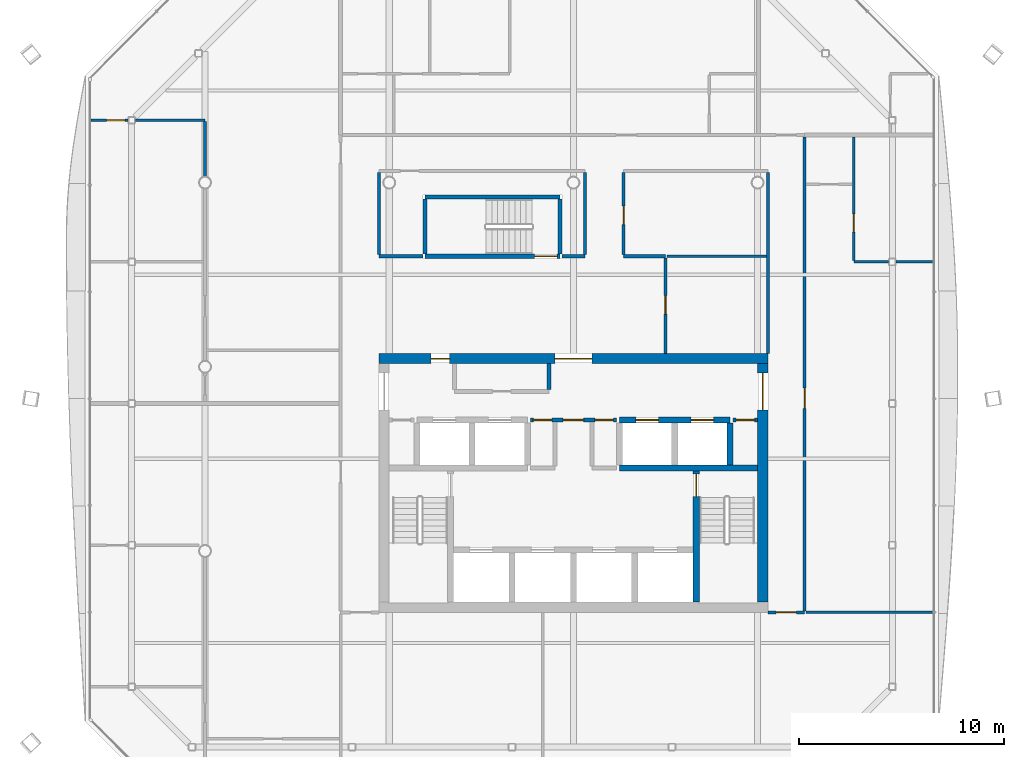
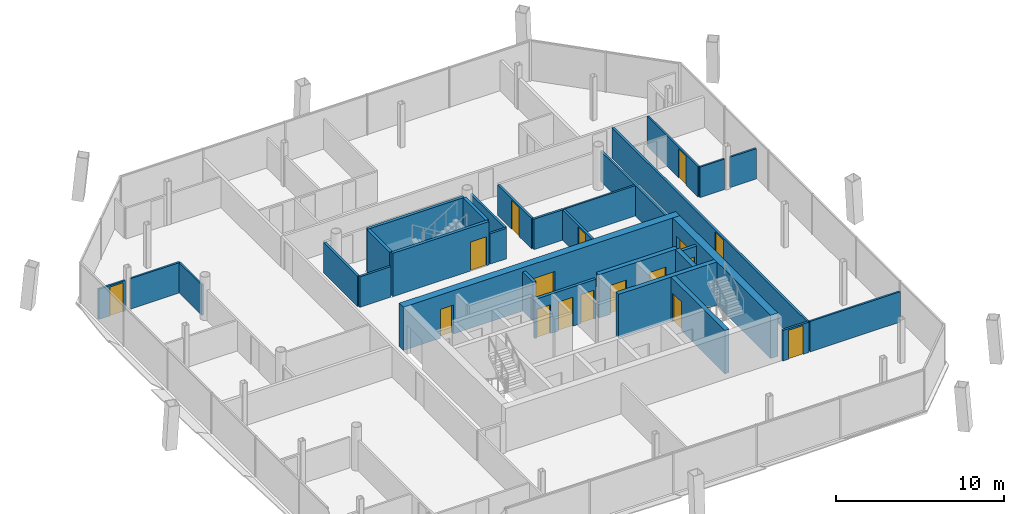
# One storey, part 15 of 20: 31 walls, 17 doors, 17 openings.
"""IFC4 building model written with IfcOpenShell, lengths in metres."""

from ifc_helpers import new_model, si_unit, direction, frame, frame_2d, origin, place, context, subcontext, project, spatial, rectangle, extrude, material, layer, layer_set, type_object, element, fill, save


model = new_model("IFC4")

# Units and contexts
model_context = context("Model", 3, precision=1e-05, world=origin(), true_north=direction((0.0, 1.0)))
body_context = subcontext(model_context, "Body", "Model", "MODEL_VIEW")
ifc_project = project(units=[si_unit("LENGTHUNIT", "METRE"), si_unit("AREAUNIT", "SQUARE_METRE"), si_unit("VOLUMEUNIT", "CUBIC_METRE"), si_unit("PLANEANGLEUNIT", "RADIAN"), si_unit("MASSUNIT", "GRAM", prefix="KILO")], contexts=[model_context])

# Site, building, storey
site_placement = place(None, origin())
site = spatial("IfcSite", under=ifc_project, at=site_placement, CompositionType="ELEMENT")
building_placement = place(site_placement, origin())
building = spatial("IfcBuilding", under=site, at=building_placement, Name="Tskaro Facet Tower", CompositionType="ELEMENT")
storey_placement = place(building_placement, frame((0.0, 0.0, 184.800048828125)))
storey = spatial("IfcBuildingStorey", under=building, at=storey_placement, Name="L46", CompositionType="ELEMENT", Elevation=184.800048828125)

# Wall
ifc_material_1 = material(Name="Concrete C60/75", Category="concrete")
ifc_layer_1 = layer(ifc_material_1, 0.300048828125, Name="Concrete C60/75")
ifc_layer_set_1 = layer_set([ifc_layer_1], Name="Concrete C60/75")
wall_type_1 = type_object("IfcWallType", Name="CORE-SHAFT", PredefinedType="SHEAR", material=ifc_layer_set_1)
wall_1_placement = place(storey_placement, frame((2.25, -4.949951171875, 0.0), z_axis=(0.0, 0.0, 1.0), x_axis=(1.0, 0.0, 0.0)))
element("IfcWall", 1, at=wall_1_placement, inside=storey, type_object=wall_type_1, Name="Shaft wall W013", PredefinedType="SHEAR", context=body_context, shape_type="SweptSolid", body=[
    extrude(rectangle(XDim=6.75, YDim=0.300048828125, at=frame_2d((3.375, 0.0))), origin(), (0.0, 0.0, 1.0), 3.14990234375),
])

# Wall, openings, doors
wall_2_placement = place(storey_placement, frame((2.25, -2.60009765625, 0.0), z_axis=(0.0, 0.0, 1.0), x_axis=(1.0, 0.0, 0.0)))
wall_2 = element("IfcWall", 2, at=wall_2_placement, inside=storey, type_object=wall_type_1, Name="Shaft wall W017", PredefinedType="SHEAR", context=body_context, shape_type="SweptSolid", body=[
    extrude(rectangle(XDim=5.39990234375, YDim=0.300048828125, at=frame_2d((2.699951171875, 0.0))), origin(), (0.0, 0.0, 1.0), 3.14990234375),
])
opening_1_placement = place(wall_2_placement, frame((0.800048828125, 0.0, 0.0)))
opening_1 = element("IfcOpeningElement", 3, at=opening_1_placement, cuts=wall_2, Name="Opening LD-HB3", PredefinedType="OPENING", context=body_context, shape_type="SweptSolid", body=[
    extrude(rectangle(XDim=1.10009765625, YDim=2.10009765625, at=frame_2d((0.550048828125, 1.050048828125))), frame((0.0, 0.159912109375, 0.0), z_axis=(0.0, -1.0, 0.0), x_axis=(1.0, 0.0, 0.0)), (0.0, 0.0, 1.0), 0.320068359375),
])
opening_2_placement = place(wall_2_placement, frame((3.5, 0.0, 0.0)))
opening_2 = element("IfcOpeningElement", 4, at=opening_2_placement, cuts=wall_2, Name="Opening LD-HB4", PredefinedType="OPENING", context=body_context, shape_type="SweptSolid", body=[
    extrude(rectangle(XDim=1.10009765625, YDim=2.10009765625, at=frame_2d((0.550048828125, 1.050048828125))), frame((0.0, 0.159912109375, 0.0), z_axis=(0.0, -1.0, 0.0), x_axis=(1.0, 0.0, 0.0)), (0.0, 0.0, 1.0), 0.320068359375),
])
ifc_material_2 = material(Name="Stainless steel", Category="steel")
door_type_1 = type_object("IfcDoorType", Name="D-LANDING", OperationType="NOTDEFINED", PredefinedType="DOOR", material=ifc_material_2)
door_1_placement = place(opening_1_placement, origin())
door_1 = element("IfcDoor", 5, at=door_1_placement, inside=storey, type_object=door_type_1, Name="Landing door HB3", OperationType="DOUBLE_DOOR_SLIDING", OverallHeight=2.10009765625, OverallWidth=1.10009765625, PredefinedType="DOOR", context=body_context, shape_type="SweptSolid", body=[
    extrude(rectangle(XDim=1.10009765625, YDim=2.10009765625, at=frame_2d((0.550048828125, 1.050048828125))), frame((0.0, 0.02490234375, 0.0), z_axis=(0.0, -1.0, 0.0), x_axis=(1.0, 0.0, 0.0)), (0.0, 0.0, 1.0), 0.050048828125),
])
fill(opening_1, door_1)
door_2_placement = place(opening_2_placement, origin())
door_2 = element("IfcDoor", 6, at=door_2_placement, inside=storey, type_object=door_type_1, Name="Landing door HB4", OperationType="DOUBLE_DOOR_SLIDING", OverallHeight=2.10009765625, OverallWidth=1.10009765625, PredefinedType="DOOR", context=body_context, shape_type="SweptSolid", body=[
    extrude(rectangle(XDim=1.10009765625, YDim=2.10009765625, at=frame_2d((0.550048828125, 1.050048828125))), frame((0.0, 0.02490234375, 0.0), z_axis=(0.0, -1.0, 0.0), x_axis=(1.0, 0.0, 0.0)), (0.0, 0.0, 1.0), 0.050048828125),
])
fill(opening_2, door_2)

# Wall, opening, door
wall_3_placement = place(storey_placement, frame((6.0, -5.10009765625, 0.0), z_axis=(0.0, 0.0, 1.0), x_axis=(0.0, -1.0, 0.0)))
wall_3 = element("IfcWall", 7, at=wall_3_placement, inside=storey, type_object=wall_type_1, Name="Shaft wall W077", PredefinedType="SHEAR", context=body_context, shape_type="SweptSolid", body=[
    extrude(rectangle(XDim=6.39990234375, YDim=0.300048828125, at=frame_2d((3.199951171875, 0.0))), origin(), (0.0, 0.0, 1.0), 3.14990234375),
])
opening_3_placement = place(wall_3_placement, frame((0.14990234375, 0.0, 0.0)))
opening_3 = element("IfcOpeningElement", 8, at=opening_3_placement, cuts=wall_3, Name="Opening ST-2-D1", PredefinedType="OPENING", context=body_context, shape_type="SweptSolid", body=[
    extrude(rectangle(XDim=1.10009765625, YDim=2.10009765625, at=frame_2d((0.550048828125, 1.050048828125))), frame((0.0, 0.159912109375, 0.0), z_axis=(0.0, -1.0, 0.0), x_axis=(1.0, 0.0, 0.0)), (0.0, 0.0, 1.0), 0.320068359375),
])
ifc_material_3 = material(Name="Steel", Category="steel")
door_type_2 = type_object("IfcDoorType", Name="D-STAIR", OperationType="NOTDEFINED", PredefinedType="DOOR", material=ifc_material_3)
door_3_placement = place(opening_3_placement, origin())
door_3 = element("IfcDoor", 9, at=door_3_placement, inside=storey, type_object=door_type_2, Name="Stair door 2", OperationType="SINGLE_SWING_RIGHT", OverallHeight=2.10009765625, OverallWidth=1.10009765625, PredefinedType="DOOR", context=body_context, shape_type="SweptSolid", body=[
    extrude(rectangle(XDim=1.10009765625, YDim=2.10009765625, at=frame_2d((0.550048828125, 1.050048828125))), frame((0.0, 0.02490234375, 0.0), z_axis=(0.0, -1.0, 0.0), x_axis=(1.0, 0.0, 0.0)), (0.0, 0.0, 1.0), 0.050048828125),
])
fill(opening_3, door_3)

# Wall
wall_4_placement = place(storey_placement, frame((7.64990234375, -4.800048828125, 0.0), z_axis=(0.0, 0.0, 1.0), x_axis=(0.0, 1.0, 0.0)))
element("IfcWall", 10, at=wall_4_placement, inside=storey, type_object=wall_type_1, Name="Shaft wall W079", PredefinedType="SHEAR", context=body_context, shape_type="SweptSolid", body=[
    extrude(rectangle(XDim=2.050048828125, YDim=0.300048828125, at=frame_2d((1.02490234375, 0.0))), origin(), (0.0, 0.0, 1.0), 3.14990234375),
])

# Wall, openings, doors
ifc_material_4 = material(Name="Concrete C20/25", Category="concrete")
ifc_layer_2 = layer(ifc_material_4, 0.199951171875, Name="Concrete C20/25")
ifc_layer_set_2 = layer_set([ifc_layer_2], Name="Concrete C20/25")
wall_type_2 = type_object("IfcWallType", Name="CORE-WALL", PredefinedType="SOLIDWALL", material=ifc_layer_set_2)
wall_5_placement = place(storey_placement, frame((2.10009765625, -2.60009765625, 0.0), z_axis=(0.0, 0.0, 1.0), x_axis=(-1.0, 0.0, 0.0)))
wall_5 = element("IfcWall", 11, at=wall_5_placement, inside=storey, type_object=wall_type_2, Name="Core room wall W016", PredefinedType="SOLIDWALL", context=body_context, shape_type="SweptSolid", body=[
    extrude(rectangle(XDim=4.2001953125, YDim=0.199951171875, at=frame_2d((2.10009765625, 0.0))), origin(), (0.0, 0.0, 1.0), 2.849853515625),
])
opening_4_placement = place(wall_5_placement, frame((1.60009765625, 0.0, 0.0)))
opening_4 = element("IfcOpeningElement", 12, at=opening_4_placement, cuts=wall_5, Name="Opening FL-D1", PredefinedType="OPENING", context=body_context, shape_type="SweptSolid", body=[
    extrude(rectangle(XDim=1.0, YDim=2.10009765625, at=frame_2d((0.5, 1.050048828125))), frame((0.0, 0.10986328125, 0.0), z_axis=(0.0, -1.0, 0.0), x_axis=(1.0, 0.0, 0.0)), (0.0, 0.0, 1.0), 0.219970703125),
])
opening_5_placement = place(wall_5_placement, frame((3.14990234375, 0.0, 0.0)))
opening_5 = element("IfcOpeningElement", 13, at=opening_5_placement, cuts=wall_5, Name="Opening T13-D08", PredefinedType="OPENING", context=body_context, shape_type="SweptSolid", body=[
    extrude(rectangle(XDim=0.89990234375, YDim=2.10009765625, at=frame_2d((0.449951171875, 1.050048828125))), frame((0.0, 0.10986328125, 0.0), z_axis=(0.0, -1.0, 0.0), x_axis=(1.0, 0.0, 0.0)), (0.0, 0.0, 1.0), 0.219970703125),
])
opening_6_placement = place(wall_5_placement, frame((0.14990234375, 0.0, 0.0)))
opening_6 = element("IfcOpeningElement", 14, at=opening_6_placement, cuts=wall_5, Name="Opening T13-D09", PredefinedType="OPENING", context=body_context, shape_type="SweptSolid", body=[
    extrude(rectangle(XDim=0.89990234375, YDim=2.10009765625, at=frame_2d((0.449951171875, 1.050048828125))), frame((0.0, 0.10986328125, 0.0), z_axis=(0.0, -1.0, 0.0), x_axis=(1.0, 0.0, 0.0)), (0.0, 0.0, 1.0), 0.219970703125),
])
door_type_3 = type_object("IfcDoorType", Name="D-LOBBY", OperationType="NOTDEFINED", PredefinedType="DOOR", material=ifc_material_3)
door_4_placement = place(opening_4_placement, origin())
door_4 = element("IfcDoor", 15, at=door_4_placement, inside=storey, type_object=door_type_3, Name="Lobby door FL", OperationType="SINGLE_SWING_RIGHT", OverallHeight=2.10009765625, OverallWidth=1.0, PredefinedType="DOOR", context=body_context, shape_type="SweptSolid", body=[
    extrude(rectangle(XDim=1.0, YDim=2.10009765625, at=frame_2d((0.5, 1.050048828125))), frame((0.0, 0.02490234375, 0.0), z_axis=(0.0, -1.0, 0.0), x_axis=(1.0, 0.0, 0.0)), (0.0, 0.0, 1.0), 0.050048828125),
])
fill(opening_4, door_4)
ifc_material_5 = material(Name="Timber", Category="wood")
door_type_4 = type_object("IfcDoorType", Name="D-ROOM", OperationType="NOTDEFINED", PredefinedType="DOOR", material=ifc_material_5)
door_5_placement = place(opening_5_placement, origin())
door_5 = element("IfcDoor", 16, at=door_5_placement, inside=storey, type_object=door_type_4, Name="Door T13-D08", OperationType="SINGLE_SWING_RIGHT", OverallHeight=2.10009765625, OverallWidth=0.89990234375, PredefinedType="DOOR", context=body_context, shape_type="SweptSolid", body=[
    extrude(rectangle(XDim=0.89990234375, YDim=2.10009765625, at=frame_2d((0.449951171875, 1.050048828125))), frame((0.0, 0.02490234375, 0.0), z_axis=(0.0, -1.0, 0.0), x_axis=(1.0, 0.0, 0.0)), (0.0, 0.0, 1.0), 0.050048828125),
])
fill(opening_5, door_5)
door_6_placement = place(opening_6_placement, origin())
door_6 = element("IfcDoor", 17, at=door_6_placement, inside=storey, type_object=door_type_4, Name="Door T13-D09", OperationType="SINGLE_SWING_RIGHT", OverallHeight=2.10009765625, OverallWidth=0.89990234375, PredefinedType="DOOR", context=body_context, shape_type="SweptSolid", body=[
    extrude(rectangle(XDim=0.89990234375, YDim=2.10009765625, at=frame_2d((0.449951171875, 1.050048828125))), frame((0.0, 0.02490234375, 0.0), z_axis=(0.0, -1.0, 0.0), x_axis=(1.0, 0.0, 0.0)), (0.0, 0.0, 1.0), 0.050048828125),
])
fill(opening_6, door_6)

# Wall, opening, door
wall_6_placement = place(storey_placement, frame((9.0, -2.60009765625, 0.0), z_axis=(0.0, 0.0, 1.0), x_axis=(-1.0, 0.0, 0.0)))
wall_6 = element("IfcWall", 18, at=wall_6_placement, inside=storey, type_object=wall_type_2, Name="Core room wall W018", PredefinedType="SOLIDWALL", context=body_context, shape_type="SweptSolid", body=[
    extrude(rectangle(XDim=1.199951171875, YDim=0.199951171875, at=frame_2d((0.60009765625, 0.0))), origin(), (0.0, 0.0, 1.0), 2.849853515625),
])
opening_7_placement = place(wall_6_placement, frame((0.14990234375, 0.0, 0.0)))
opening_7 = element("IfcOpeningElement", 19, at=opening_7_placement, cuts=wall_6, Name="Opening T13-D10", PredefinedType="OPENING", context=body_context, shape_type="SweptSolid", body=[
    extrude(rectangle(XDim=0.89990234375, YDim=2.10009765625, at=frame_2d((0.449951171875, 1.050048828125))), frame((0.0, 0.10986328125, 0.0), z_axis=(0.0, -1.0, 0.0), x_axis=(1.0, 0.0, 0.0)), (0.0, 0.0, 1.0), 0.219970703125),
])
door_7_placement = place(opening_7_placement, origin())
door_7 = element("IfcDoor", 20, at=door_7_placement, inside=storey, type_object=door_type_4, Name="Door T13-D10", OperationType="SINGLE_SWING_RIGHT", OverallHeight=2.10009765625, OverallWidth=0.89990234375, PredefinedType="DOOR", context=body_context, shape_type="SweptSolid", body=[
    extrude(rectangle(XDim=0.89990234375, YDim=2.10009765625, at=frame_2d((0.449951171875, 1.050048828125))), frame((0.0, 0.02490234375, 0.0), z_axis=(0.0, -1.0, 0.0), x_axis=(1.0, 0.0, 0.0)), (0.0, 0.0, 1.0), 0.050048828125),
])
fill(opening_7, door_7)

# Wall
wall_7_placement = place(storey_placement, frame((-1.199951171875, -1.10009765625, 0.0), z_axis=(0.0, 0.0, 1.0), x_axis=(0.0, 1.0, 0.0)))
element("IfcWall", 21, at=wall_7_placement, inside=storey, type_object=wall_type_2, Name="Core room wall W066", PredefinedType="SOLIDWALL", context=body_context, shape_type="SweptSolid", body=[
    extrude(rectangle(XDim=1.25, YDim=0.199951171875, at=frame_2d((0.625, 0.0))), origin(), (0.0, 0.0, 1.0), 2.849853515625),
])

# Wall, openings, doors
ifc_material_6 = material(Name="Concrete C40/50", Category="concrete")
ifc_layer_3 = layer(ifc_material_6, 0.5, Name="Concrete C40/50")
ifc_layer_set_3 = layer_set([ifc_layer_3], Name="Concrete C40/50")
wall_type_3 = type_object("IfcWallType", Name="Core wall 500", PredefinedType="SHEAR", material=ifc_layer_set_3)
wall_8_placement = place(storey_placement, frame((-9.5, 0.39990234375, 0.0), z_axis=(0.0, 0.0, 1.0), x_axis=(1.0, 0.0, 0.0)))
wall_8 = element("IfcWall", 22, at=wall_8_placement, inside=storey, type_object=wall_type_3, Name="Core wall CW-Z3N", PredefinedType="SHEAR", context=body_context, shape_type="SweptSolid", body=[
    extrude(rectangle(XDim=19.0, YDim=0.5, at=frame_2d((9.5, 0.0))), origin(), (0.0, 0.0, 1.0), 3.14990234375),
])
opening_8_placement = place(wall_8_placement, frame((8.60009765625, 0.0, 0.0)))
opening_8 = element("IfcOpeningElement", 23, at=opening_8_placement, cuts=wall_8, Name="Opening T13-D17", PredefinedType="OPENING", context=body_context, shape_type="SweptSolid", body=[
    extrude(rectangle(XDim=1.800048828125, YDim=2.10009765625, at=frame_2d((0.89990234375, 1.050048828125))), frame((0.0, 0.260009765625, 0.0), z_axis=(0.0, -1.0, 0.0), x_axis=(1.0, 0.0, 0.0)), (0.0, 0.0, 1.0), 0.52001953125),
])
opening_9_placement = place(wall_8_placement, frame((2.550048828125, 0.0, 0.0)))
opening_9 = element("IfcOpeningElement", 24, at=opening_9_placement, cuts=wall_8, Name="Opening T13-D16", PredefinedType="OPENING", context=body_context, shape_type="SweptSolid", body=[
    extrude(rectangle(XDim=0.89990234375, YDim=2.10009765625, at=frame_2d((0.449951171875, 1.050048828125))), frame((0.0, 0.260009765625, 0.0), z_axis=(0.0, -1.0, 0.0), x_axis=(1.0, 0.0, 0.0)), (0.0, 0.0, 1.0), 0.52001953125),
])
door_type_5 = type_object("IfcDoorType", Name="D-CORE-PAIR", OperationType="NOTDEFINED", PredefinedType="DOOR", material=ifc_material_3)
door_8_placement = place(opening_8_placement, origin())
door_8 = element("IfcDoor", 25, at=door_8_placement, inside=storey, type_object=door_type_5, Name="Door T13-D17", OperationType="DOUBLE_DOOR_SINGLE_SWING", OverallHeight=2.10009765625, OverallWidth=1.800048828125, PredefinedType="DOOR", context=body_context, shape_type="SweptSolid", body=[
    extrude(rectangle(XDim=1.800048828125, YDim=2.10009765625, at=frame_2d((0.89990234375, 1.050048828125))), frame((0.0, 0.02490234375, 0.0), z_axis=(0.0, -1.0, 0.0), x_axis=(1.0, 0.0, 0.0)), (0.0, 0.0, 1.0), 0.050048828125),
])
fill(opening_8, door_8)
door_9_placement = place(opening_9_placement, origin())
door_9 = element("IfcDoor", 26, at=door_9_placement, inside=storey, type_object=door_type_4, Name="Door T13-D16", OperationType="SINGLE_SWING_LEFT", OverallHeight=2.10009765625, OverallWidth=0.89990234375, PredefinedType="DOOR", context=body_context, shape_type="SweptSolid", body=[
    extrude(rectangle(XDim=0.89990234375, YDim=2.10009765625, at=frame_2d((0.449951171875, 1.050048828125))), frame((0.0, 0.02490234375, 0.0), z_axis=(0.0, -1.0, 0.0), x_axis=(1.0, 0.0, 0.0)), (0.0, 0.0, 1.0), 0.050048828125),
])
fill(opening_9, door_9)

# Wall, opening, door
wall_9_placement = place(storey_placement, frame((9.25, -11.5, 0.0), z_axis=(0.0, 0.0, 1.0), x_axis=(0.0, 1.0, 0.0)))
wall_9 = element("IfcWall", 27, at=wall_9_placement, inside=storey, type_object=wall_type_3, Name="Core wall CW-Z3E", PredefinedType="SHEAR", context=body_context, shape_type="SweptSolid", body=[
    extrude(rectangle(XDim=11.64990234375, YDim=0.5, at=frame_2d((5.824951171875, 0.0))), origin(), (0.0, 0.0, 1.0), 3.14990234375),
])
opening_10_placement = place(wall_9_placement, frame((9.39990234375, 0.0, 0.0)))
opening_10 = element("IfcOpeningElement", 28, at=opening_10_placement, cuts=wall_9, Name="Opening T13-D14", PredefinedType="OPENING", context=body_context, shape_type="SweptSolid", body=[
    extrude(rectangle(XDim=1.800048828125, YDim=2.10009765625, at=frame_2d((0.89990234375, 1.050048828125))), frame((0.0, 0.260009765625, 0.0), z_axis=(0.0, -1.0, 0.0), x_axis=(1.0, 0.0, 0.0)), (0.0, 0.0, 1.0), 0.52001953125),
])
door_10_placement = place(opening_10_placement, origin())
door_10 = element("IfcDoor", 29, at=door_10_placement, inside=storey, type_object=door_type_5, Name="Door T13-D14", OperationType="DOUBLE_DOOR_SINGLE_SWING", OverallHeight=2.10009765625, OverallWidth=1.800048828125, PredefinedType="DOOR", context=body_context, shape_type="SweptSolid", body=[
    extrude(rectangle(XDim=1.800048828125, YDim=2.10009765625, at=frame_2d((0.89990234375, 1.050048828125))), frame((0.0, 0.02490234375, 0.0), z_axis=(0.0, -1.0, 0.0), x_axis=(1.0, 0.0, 0.0)), (0.0, 0.0, 1.0), 0.050048828125),
])
fill(opening_10, door_10)

# Walls
ifc_material_7 = material(Name="Gypsum board on steel studs", Category="steel")
ifc_layer_4 = layer(ifc_material_7, 0.125, Name="Gypsum board on steel studs")
ifc_layer_set_4 = layer_set([ifc_layer_4], Name="Gypsum board on steel studs")
wall_type_4 = type_object("IfcWallType", Name="PART", PredefinedType="PARTITIONING", material=ifc_layer_set_4)
wall_10_placement = place(storey_placement, frame((11.375, -12.0, 0.0), z_axis=(0.0, 0.0, 1.0), x_axis=(1.0, 0.0, 0.0)))
element("IfcWall", 30, at=wall_10_placement, inside=storey, type_object=wall_type_4, Name="Partition W006", PredefinedType="PARTITIONING", context=body_context, shape_type="SweptSolid", body=[
    extrude(rectangle(XDim=6.202880859375, YDim=0.125, at=frame_2d((3.1015625, 0.0))), origin(), (0.0, 0.0, 1.0), 2.2099609375),
])
wall_11_placement = place(storey_placement, frame((13.699951171875, 5.125, 0.0), z_axis=(0.0, 0.0, 1.0), x_axis=(1.0, 0.0, 0.0)))
element("IfcWall", 31, at=wall_11_placement, inside=storey, type_object=wall_type_4, Name="Partition W025", PredefinedType="PARTITIONING", context=body_context, shape_type="SweptSolid", body=[
    extrude(rectangle(XDim=1.7080078125, YDim=0.125, at=frame_2d((0.85400390625, 0.0))), origin(), (0.0, 0.0, 1.0), 2.2099609375),
])
wall_12_placement = place(storey_placement, frame((15.758056640625, 5.125, 0.0), z_axis=(0.0, 0.0, 1.0), x_axis=(1.0, 0.0, 0.0)))
element("IfcWall", 32, at=wall_12_placement, inside=storey, type_object=wall_type_4, Name="Partition W026", PredefinedType="PARTITIONING", context=body_context, shape_type="SweptSolid", body=[
    extrude(rectangle(XDim=1.81982421875, YDim=0.125, at=frame_2d((0.909912109375, 0.0))), origin(), (0.0, 0.0, 1.0), 2.2099609375),
])
wall_13_placement = place(storey_placement, frame((4.574951171875, 5.39990234375, 0.0), z_axis=(0.0, 0.0, 1.0), x_axis=(1.0, 0.0, 0.0)))
element("IfcWall", 33, at=wall_13_placement, inside=storey, type_object=wall_type_4, Name="Partition W031", PredefinedType="PARTITIONING", context=body_context, shape_type="SweptSolid", body=[
    extrude(rectangle(XDim=4.85009765625, YDim=0.125, at=frame_2d((2.425048828125, 0.0))), origin(), (0.0, 0.0, 1.0), 2.2099609375),
])

# Wall, opening, door
wall_14_placement = place(storey_placement, frame((-21.758056640625, 12.044921875, 0.0), z_axis=(0.0, 0.0, 1.0), x_axis=(-1.0, 0.0, 0.0)))
wall_14 = element("IfcWall", 34, at=wall_14_placement, inside=storey, type_object=wall_type_4, Name="Partition W038", PredefinedType="PARTITIONING", context=body_context, shape_type="SweptSolid", body=[
    extrude(rectangle(XDim=1.81982421875, YDim=0.125, at=frame_2d((0.909912109375, 0.0))), origin(), (0.0, 0.0, 1.0), 2.2099609375),
])
opening_11_placement = place(wall_14_placement, frame((0.14990234375, 0.0, 0.0)))
opening_11 = element("IfcOpeningElement", 35, at=opening_11_placement, cuts=wall_14, Name="Opening T13-D27", PredefinedType="OPENING", context=body_context, shape_type="SweptSolid", body=[
    extrude(rectangle(XDim=0.89990234375, YDim=2.10009765625, at=frame_2d((0.449951171875, 1.050048828125))), frame((0.0, 0.072509765625, 0.0), z_axis=(0.0, -1.0, 0.0), x_axis=(1.0, 0.0, 0.0)), (0.0, 0.0, 1.0), 0.14501953125),
])
door_11_placement = place(opening_11_placement, origin())
door_11 = element("IfcDoor", 36, at=door_11_placement, inside=storey, type_object=door_type_4, Name="Door T13-D27", OperationType="SINGLE_SWING_RIGHT", OverallHeight=2.10009765625, OverallWidth=0.89990234375, PredefinedType="DOOR", context=body_context, shape_type="SweptSolid", body=[
    extrude(rectangle(XDim=0.89990234375, YDim=2.10009765625, at=frame_2d((0.449951171875, 1.050048828125))), frame((0.0, 0.02490234375, 0.0), z_axis=(0.0, -1.0, 0.0), x_axis=(1.0, 0.0, 0.0)), (0.0, 0.0, 1.0), 0.050048828125),
])
fill(opening_11, door_11)

# Walls
wall_15_placement = place(storey_placement, frame((-21.407958984375, 12.044921875, 0.0), z_axis=(0.0, 0.0, 1.0), x_axis=(1.0, 0.0, 0.0)))
element("IfcWall", 37, at=wall_15_placement, inside=storey, type_object=wall_type_4, Name="Partition W039", PredefinedType="PARTITIONING", context=body_context, shape_type="SweptSolid", body=[
    extrude(rectangle(XDim=3.407958984375, YDim=0.125, at=frame_2d((1.7041015625, 0.0))), origin(), (0.0, 0.0, 1.0), 2.2099609375),
])
wall_16_placement = place(storey_placement, frame((-18.0, 9.304931640625, 0.0), z_axis=(0.0, 0.0, 1.0), x_axis=(0.0, 1.0, 0.0)))
element("IfcWall", 38, at=wall_16_placement, inside=storey, type_object=wall_type_4, Name="Partition W048", PredefinedType="PARTITIONING", context=body_context, shape_type="SweptSolid", body=[
    extrude(rectangle(XDim=2.677490234375, YDim=0.125, at=frame_2d((1.3388671875, 0.0))), origin(), (0.0, 0.0, 1.0), 2.2099609375),
])

# Wall, opening, door
wall_17_placement = place(storey_placement, frame((13.699951171875, 11.22509765625, 0.0), z_axis=(0.0, 0.0, 1.0), x_axis=(0.0, -1.0, 0.0)))
wall_17 = element("IfcWall", 39, at=wall_17_placement, inside=storey, type_object=wall_type_4, Name="Partition W084", PredefinedType="PARTITIONING", context=body_context, shape_type="SweptSolid", body=[
    extrude(rectangle(XDim=6.03759765625, YDim=0.125, at=frame_2d((3.018798828125, 0.0))), origin(), (0.0, 0.0, 1.0), 2.2099609375),
])
opening_12_placement = place(wall_17_placement, frame((3.75, 0.0, 0.0)))
opening_12 = element("IfcOpeningElement", 40, at=opening_12_placement, cuts=wall_17, Name="Opening T13-D20", PredefinedType="OPENING", context=body_context, shape_type="SweptSolid", body=[
    extrude(rectangle(XDim=0.89990234375, YDim=2.10009765625, at=frame_2d((0.449951171875, 1.050048828125))), frame((0.0, 0.072509765625, 0.0), z_axis=(0.0, -1.0, 0.0), x_axis=(1.0, 0.0, 0.0)), (0.0, 0.0, 1.0), 0.14501953125),
])
door_12_placement = place(opening_12_placement, origin())
door_12 = element("IfcDoor", 41, at=door_12_placement, inside=storey, type_object=door_type_4, Name="Door T13-D20", OperationType="SINGLE_SWING_RIGHT", OverallHeight=2.10009765625, OverallWidth=0.89990234375, PredefinedType="DOOR", context=body_context, shape_type="SweptSolid", body=[
    extrude(rectangle(XDim=0.89990234375, YDim=2.10009765625, at=frame_2d((0.449951171875, 1.050048828125))), frame((0.0, 0.02490234375, 0.0), z_axis=(0.0, -1.0, 0.0), x_axis=(1.0, 0.0, 0.0)), (0.0, 0.0, 1.0), 0.050048828125),
])
fill(opening_12, door_12)

ifc_layer_5 = layer(ifc_material_7, 0.14990234375, Name="Gypsum board on steel studs")
ifc_layer_set_5 = layer_set([ifc_layer_5], Name="Gypsum board on steel studs")
wall_type_5 = type_object("IfcWallType", Name="PART-CORR", PredefinedType="PARTITIONING", material=ifc_layer_set_5)
wall_18_placement = place(storey_placement, frame((11.300048828125, -12.0, 0.0), z_axis=(0.0, 0.0, 1.0), x_axis=(-1.0, 0.0, 0.0)))
wall_18 = element("IfcWall", 42, at=wall_18_placement, inside=storey, type_object=wall_type_5, Name="Corridor wall W005", PredefinedType="PARTITIONING", context=body_context, shape_type="SweptSolid", body=[
    extrude(rectangle(XDim=1.800048828125, YDim=0.14990234375, at=frame_2d((0.89990234375, 0.0))), origin(), (0.0, 0.0, 1.0), 2.2099609375),
])
opening_13_placement = place(wall_18_placement, frame((0.39990234375, 0.0, 0.0)))
opening_13 = element("IfcOpeningElement", 43, at=opening_13_placement, cuts=wall_18, Name="Opening T13-D04", PredefinedType="OPENING", context=body_context, shape_type="SweptSolid", body=[
    extrude(rectangle(XDim=1.0, YDim=2.10009765625, at=frame_2d((0.5, 1.050048828125))), frame((0.0, 0.0849609375, 0.0), z_axis=(0.0, -1.0, 0.0), x_axis=(1.0, 0.0, 0.0)), (0.0, 0.0, 1.0), 0.169921875),
])
door_type_6 = type_object("IfcDoorType", Name="D-ROOM-WIDE", OperationType="NOTDEFINED", PredefinedType="DOOR", material=ifc_material_5)
door_13_placement = place(opening_13_placement, origin())
door_13 = element("IfcDoor", 44, at=door_13_placement, inside=storey, type_object=door_type_6, Name="Door T13-D04", OperationType="SINGLE_SWING_RIGHT", OverallHeight=2.10009765625, OverallWidth=1.0, PredefinedType="DOOR", context=body_context, shape_type="SweptSolid", body=[
    extrude(rectangle(XDim=1.0, YDim=2.10009765625, at=frame_2d((0.5, 1.050048828125))), frame((0.0, 0.02490234375, 0.0), z_axis=(0.0, -1.0, 0.0), x_axis=(1.0, 0.0, 0.0)), (0.0, 0.0, 1.0), 0.050048828125),
])
fill(opening_13, door_13)

# Walls
wall_19_placement = place(storey_placement, frame((-9.5, 5.39990234375, 0.0), z_axis=(0.0, 0.0, 1.0), x_axis=(1.0, 0.0, 0.0)))
element("IfcWall", 45, at=wall_19_placement, inside=storey, type_object=wall_type_5, Name="Corridor wall W027", PredefinedType="PARTITIONING", context=body_context, shape_type="SweptSolid", body=[
    extrude(rectangle(XDim=2.14990234375, YDim=0.14990234375, at=frame_2d((1.074951171875, 0.0))), origin(), (0.0, 0.0, 1.0), 2.2099609375),
])
wall_20_placement = place(storey_placement, frame((-0.550048828125, 5.39990234375, 0.0), z_axis=(0.0, 0.0, 1.0), x_axis=(1.0, 0.0, 0.0)))
element("IfcWall", 46, at=wall_20_placement, inside=storey, type_object=wall_type_5, Name="Corridor wall W029", PredefinedType="PARTITIONING", context=body_context, shape_type="SweptSolid", body=[
    extrude(rectangle(XDim=1.125, YDim=0.14990234375, at=frame_2d((0.5625, 0.0))), origin(), (0.0, 0.0, 1.0), 2.2099609375),
])
wall_21_placement = place(storey_placement, frame((2.449951171875, 5.39990234375, 0.0), z_axis=(0.0, 0.0, 1.0), x_axis=(1.0, 0.0, 0.0)))
element("IfcWall", 47, at=wall_21_placement, inside=storey, type_object=wall_type_5, Name="Corridor wall W030", PredefinedType="PARTITIONING", context=body_context, shape_type="SweptSolid", body=[
    extrude(rectangle(XDim=2.050048828125, YDim=0.14990234375, at=frame_2d((1.02490234375, 0.0))), origin(), (0.0, 0.0, 1.0), 2.2099609375),
])
for number, where, z_axis, x_axis, name in (
    (48, (-9.5, 5.47509765625, 0.0), (0.0, 0.0, 1.0), (0.0, 1.0, 0.0), "Corridor wall W053"),
    (49, (0.574951171875, 5.47509765625, 0.0), (0.0, 0.0, 1.0), (0.0, 1.0, 0.0), "Corridor wall W070"),
):
    element("IfcWall", number, at=place(storey_placement, frame(where, z_axis=z_axis, x_axis=x_axis)), inside=storey, type_object=wall_type_5, Name=name, PredefinedType="PARTITIONING", context=body_context, shape_type="SweptSolid", body=[
        extrude(rectangle(XDim=4.02490234375, YDim=0.14990234375, at=frame_2d((2.012451171875, 0.0))), origin(), (0.0, 0.0, 1.0), 2.2099609375),
    ])

# Wall, opening, door
wall_22_placement = place(storey_placement, frame((2.449951171875, 9.5, 0.0), z_axis=(0.0, 0.0, 1.0), x_axis=(0.0, -1.0, 0.0)))
wall_22 = element("IfcWall", 50, at=wall_22_placement, inside=storey, type_object=wall_type_5, Name="Corridor wall W073", PredefinedType="PARTITIONING", context=body_context, shape_type="SweptSolid", body=[
    extrude(rectangle(XDim=4.02490234375, YDim=0.14990234375, at=frame_2d((2.012451171875, 0.0))), origin(), (0.0, 0.0, 1.0), 2.2099609375),
])
opening_14_placement = place(wall_22_placement, frame((1.64990234375, 0.0, 0.0)))
opening_14 = element("IfcOpeningElement", 51, at=opening_14_placement, cuts=wall_22, Name="Opening T13-D21", PredefinedType="OPENING", context=body_context, shape_type="SweptSolid", body=[
    extrude(rectangle(XDim=0.89990234375, YDim=2.10009765625, at=frame_2d((0.449951171875, 1.050048828125))), frame((0.0, 0.0849609375, 0.0), z_axis=(0.0, -1.0, 0.0), x_axis=(1.0, 0.0, 0.0)), (0.0, 0.0, 1.0), 0.169921875),
])
door_14_placement = place(opening_14_placement, origin())
door_14 = element("IfcDoor", 52, at=door_14_placement, inside=storey, type_object=door_type_4, Name="Door T13-D21", OperationType="SINGLE_SWING_RIGHT", OverallHeight=2.10009765625, OverallWidth=0.89990234375, PredefinedType="DOOR", context=body_context, shape_type="SweptSolid", body=[
    extrude(rectangle(XDim=0.89990234375, YDim=2.10009765625, at=frame_2d((0.449951171875, 1.050048828125))), frame((0.0, 0.02490234375, 0.0), z_axis=(0.0, -1.0, 0.0), x_axis=(1.0, 0.0, 0.0)), (0.0, 0.0, 1.0), 0.050048828125),
])
fill(opening_14, door_14)

wall_23_placement = place(storey_placement, frame((4.5, 5.324951171875, 0.0), z_axis=(0.0, 0.0, 1.0), x_axis=(0.0, -1.0, 0.0)))
wall_23 = element("IfcWall", 53, at=wall_23_placement, inside=storey, type_object=wall_type_5, Name="Corridor wall W075", PredefinedType="PARTITIONING", context=body_context, shape_type="SweptSolid", body=[
    extrude(rectangle(XDim=4.675048828125, YDim=0.14990234375, at=frame_2d((2.33740234375, 0.0))), origin(), (0.0, 0.0, 1.0), 2.2099609375),
])
opening_15_placement = place(wall_23_placement, frame((1.85009765625, 0.0, 0.0)))
opening_15 = element("IfcOpeningElement", 54, at=opening_15_placement, cuts=wall_23, Name="Opening T13-D19", PredefinedType="OPENING", context=body_context, shape_type="SweptSolid", body=[
    extrude(rectangle(XDim=0.89990234375, YDim=2.10009765625, at=frame_2d((0.449951171875, 1.050048828125))), frame((0.0, 0.0849609375, 0.0), z_axis=(0.0, -1.0, 0.0), x_axis=(1.0, 0.0, 0.0)), (0.0, 0.0, 1.0), 0.169921875),
])
door_15_placement = place(opening_15_placement, origin())
door_15 = element("IfcDoor", 55, at=door_15_placement, inside=storey, type_object=door_type_4, Name="Door T13-D19", OperationType="SINGLE_SWING_RIGHT", OverallHeight=2.10009765625, OverallWidth=0.89990234375, PredefinedType="DOOR", context=body_context, shape_type="SweptSolid", body=[
    extrude(rectangle(XDim=0.89990234375, YDim=2.10009765625, at=frame_2d((0.449951171875, 1.050048828125))), frame((0.0, 0.02490234375, 0.0), z_axis=(0.0, -1.0, 0.0), x_axis=(1.0, 0.0, 0.0)), (0.0, 0.0, 1.0), 0.050048828125),
])
fill(opening_15, door_15)

# Wall
wall_24_placement = place(storey_placement, frame((9.5, 0.64990234375, 0.0), z_axis=(0.0, 0.0, 1.0), x_axis=(0.0, 1.0, 0.0)))
element("IfcWall", 56, at=wall_24_placement, inside=storey, type_object=wall_type_5, Name="Corridor wall W082", PredefinedType="PARTITIONING", context=body_context, shape_type="SweptSolid", body=[
    extrude(rectangle(XDim=8.85009765625, YDim=0.14990234375, at=frame_2d((4.425048828125, 0.0))), origin(), (0.0, 0.0, 1.0), 2.2099609375),
])

# Wall, opening, door
wall_25_placement = place(storey_placement, frame((11.300048828125, 11.22509765625, 0.0), z_axis=(0.0, 0.0, 1.0), x_axis=(0.0, -1.0, 0.0)))
wall_25 = element("IfcWall", 57, at=wall_25_placement, inside=storey, type_object=wall_type_5, Name="Corridor wall W083", PredefinedType="PARTITIONING", context=body_context, shape_type="SweptSolid", body=[
    extrude(rectangle(XDim=23.150146484375, YDim=0.14990234375, at=frame_2d((11.5751953125, 0.0))), origin(), (0.0, 0.0, 1.0), 2.2099609375),
])
opening_16_placement = place(wall_25_placement, frame((12.262451171875, 0.0, 0.0)))
opening_16 = element("IfcOpeningElement", 58, at=opening_16_placement, cuts=wall_25, Name="Opening T13-D11", PredefinedType="OPENING", context=body_context, shape_type="SweptSolid", body=[
    extrude(rectangle(XDim=1.0, YDim=2.10009765625, at=frame_2d((0.5, 1.050048828125))), frame((0.0, 0.0849609375, 0.0), z_axis=(0.0, -1.0, 0.0), x_axis=(1.0, 0.0, 0.0)), (0.0, 0.0, 1.0), 0.169921875),
])
door_type_7 = type_object("IfcDoorType", Name="D-FLAT-ENTRY", OperationType="NOTDEFINED", PredefinedType="DOOR", material=ifc_material_5)
door_16_placement = place(opening_16_placement, origin())
door_16 = element("IfcDoor", 59, at=door_16_placement, inside=storey, type_object=door_type_7, Name="Door T13-D11", OperationType="SINGLE_SWING_RIGHT", OverallHeight=2.10009765625, OverallWidth=1.0, PredefinedType="DOOR", context=body_context, shape_type="SweptSolid", body=[
    extrude(rectangle(XDim=1.0, YDim=2.10009765625, at=frame_2d((0.5, 1.050048828125))), frame((0.0, 0.02490234375, 0.0), z_axis=(0.0, -1.0, 0.0), x_axis=(1.0, 0.0, 0.0)), (0.0, 0.0, 1.0), 0.050048828125),
])
fill(opening_16, door_16)

ifc_layer_6 = layer(ifc_material_1, 0.199951171875, Name="Concrete C60/75")
ifc_layer_set_6 = layer_set([ifc_layer_6], Name="Concrete C60/75")
wall_type_6 = type_object("IfcWallType", Name="STAIR-WALL", PredefinedType="SHEAR", material=ifc_layer_set_6)
wall_26_placement = place(storey_placement, frame((-7.25, 5.39990234375, 0.0), z_axis=(0.0, 0.0, 1.0), x_axis=(1.0, 0.0, 0.0)))
wall_26 = element("IfcWall", 60, at=wall_26_placement, inside=storey, type_object=wall_type_6, Name="Stair wall W028", PredefinedType="SHEAR", context=body_context, shape_type="SweptSolid", body=[
    extrude(rectangle(XDim=6.60009765625, YDim=0.199951171875, at=frame_2d((3.300048828125, 0.0))), origin(), (0.0, 0.0, 1.0), 3.14990234375),
])
opening_17_placement = place(wall_26_placement, frame((5.35009765625, 0.0, 0.0)))
opening_17 = element("IfcOpeningElement", 61, at=opening_17_placement, cuts=wall_26, Name="Opening ST-3-D1", PredefinedType="OPENING", context=body_context, shape_type="SweptSolid", body=[
    extrude(rectangle(XDim=1.10009765625, YDim=2.10009765625, at=frame_2d((0.550048828125, 1.050048828125))), frame((0.0, 0.10986328125, 0.0), z_axis=(0.0, -1.0, 0.0), x_axis=(1.0, 0.0, 0.0)), (0.0, 0.0, 1.0), 0.219970703125),
])
door_17_placement = place(opening_17_placement, origin())
door_17 = element("IfcDoor", 62, at=door_17_placement, inside=storey, type_object=door_type_2, Name="Stair door 3", OperationType="SINGLE_SWING_LEFT", OverallHeight=2.10009765625, OverallWidth=1.10009765625, PredefinedType="DOOR", context=body_context, shape_type="SweptSolid", body=[
    extrude(rectangle(XDim=1.10009765625, YDim=2.10009765625, at=frame_2d((0.550048828125, 1.050048828125))), frame((0.0, 0.02490234375, 0.0), z_axis=(0.0, -1.0, 0.0), x_axis=(1.0, 0.0, 0.0)), (0.0, 0.0, 1.0), 0.050048828125),
])
fill(opening_17, door_17)

# Walls
wall_27_placement = place(storey_placement, frame((-7.25, 8.300048828125, 0.0), z_axis=(0.0, 0.0, 1.0), x_axis=(1.0, 0.0, 0.0)))
element("IfcWall", 63, at=wall_27_placement, inside=storey, type_object=wall_type_6, Name="Stair wall W032", PredefinedType="SHEAR", context=body_context, shape_type="SweptSolid", body=[
    extrude(rectangle(XDim=6.60009765625, YDim=0.199951171875, at=frame_2d((3.300048828125, 0.0))), origin(), (0.0, 0.0, 1.0), 3.14990234375),
])
for number, where, z_axis, x_axis, name in (
    (64, (-7.25, 5.5, 0.0), (0.0, 0.0, 1.0), (0.0, 1.0, 0.0), "Stair wall W056"),
    (65, (-0.64990234375, 5.5, 0.0), (0.0, 0.0, 1.0), (0.0, 1.0, 0.0), "Stair wall W068"),
):
    element("IfcWall", number, at=place(storey_placement, frame(where, z_axis=z_axis, x_axis=x_axis)), inside=storey, type_object=wall_type_6, Name=name, PredefinedType="SHEAR", context=body_context, shape_type="SweptSolid", body=[
        extrude(rectangle(XDim=2.699951171875, YDim=0.199951171875, at=frame_2d((1.35009765625, 0.0))), origin(), (0.0, 0.0, 1.0), 3.14990234375),
    ])

save(model, "model.ifc")
